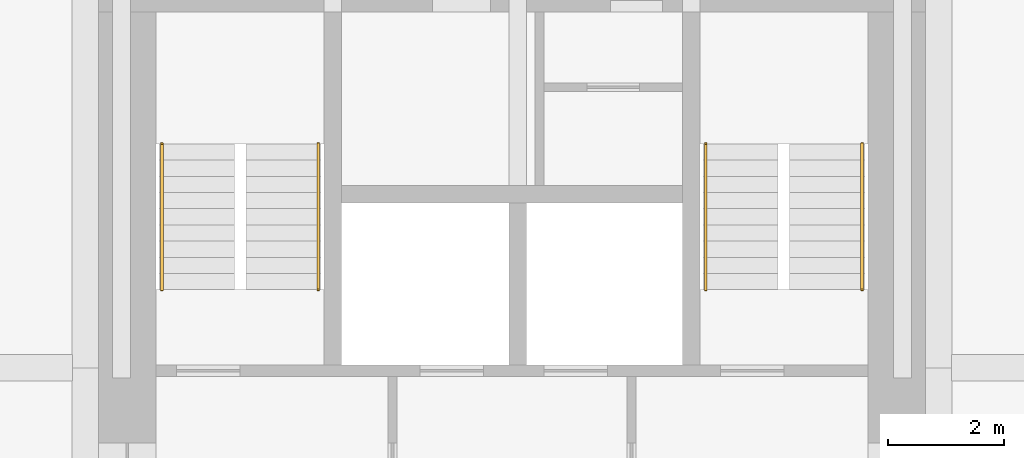
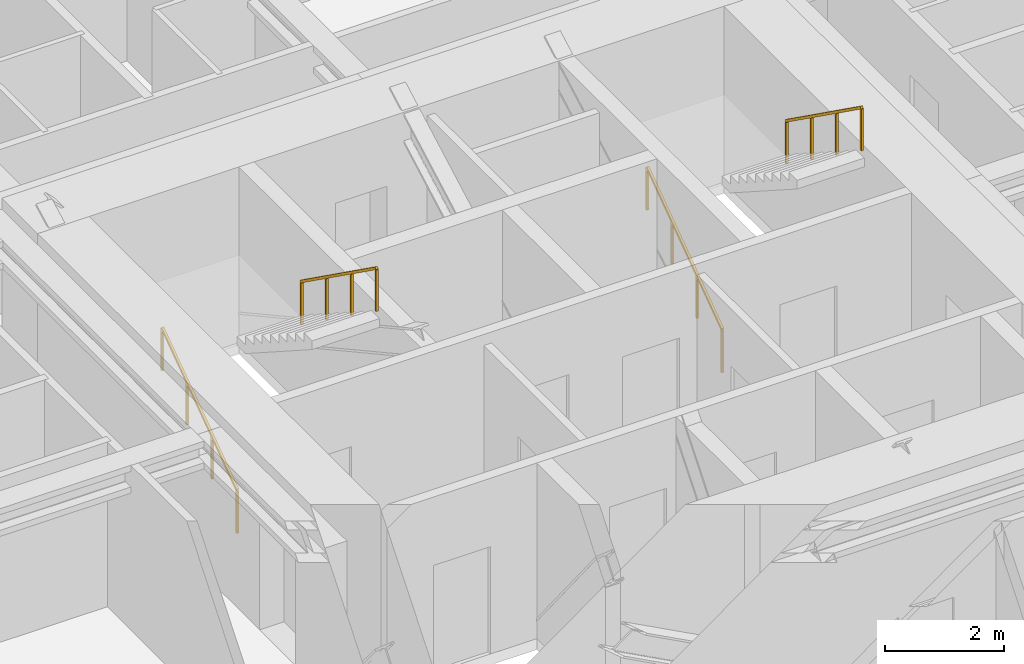
# One storey, part 10 of 10: 4 railings.
"""IFC4 building model written with IfcOpenShell, lengths in metres."""

from ifc_helpers import new_model, si_unit, direction, frame, origin, origin_2d, place, context, subcontext, project, spatial, rectangle, extrude, material, type_object, element, save


model = new_model("IFC4")

# Units and contexts
model_context = context("Model", 3, precision=1e-05, world=origin(), true_north=direction((0.0, 1.0)))
body_context = subcontext(model_context, "Body", "Model", "MODEL_VIEW")
ifc_project = project(units=[si_unit("LENGTHUNIT", "METRE"), si_unit("AREAUNIT", "SQUARE_METRE"), si_unit("VOLUMEUNIT", "CUBIC_METRE"), si_unit("PLANEANGLEUNIT", "RADIAN"), si_unit("MASSUNIT", "GRAM", prefix="KILO")], contexts=[model_context])

# Site, building, storey
site_placement = place(None, origin())
site = spatial("IfcSite", under=ifc_project, at=site_placement, CompositionType="ELEMENT")
building_placement = place(site_placement, origin())
building = spatial("IfcBuilding", under=site, at=building_placement, Name="Nyansa Garden Tower", CompositionType="ELEMENT")
storey_placement = place(building_placement, frame((0.0, 0.0, 167.39990234375)))
storey = spatial("IfcBuildingStorey", under=building, at=storey_placement, Name="L45", CompositionType="ELEMENT", Elevation=167.39990234375)

# Railings
ifc_material = material(Name="Black powder-coated steel tube 48 mm", Category="steel")
railing_type = type_object("IfcRailingType", Name="Stair handrail HR1", PredefinedType="HANDRAIL", material=ifc_material)
railing_1_placement = place(storey_placement, frame((14.199951171875, 21.60009765625, 0.0)))
element("IfcRailing", 1, at=railing_1_placement, inside=storey, type_object=railing_type, Name="Stair S1 handrail L45", PredefinedType="HANDRAIL", context=body_context, shape_type="SweptSolid", body=[
    extrude(rectangle(XDim=0.048095703125, YDim=0.048095703125, at=origin_2d()), frame((0.0, 0.0, 0.8759765625), z_axis=(0.0, 0.813728144527, 0.581245650998), x_axis=(-1.0, 0.0, 0.0)), (0.0, 0.0, 1.0), 3.096923828125),
    extrude(rectangle(XDim=0.0419921875, YDim=0.0419921875, at=origin_2d()), origin(), (0.0, 0.0, 1.0), 0.851806640625),
    extrude(rectangle(XDim=0.0419921875, YDim=0.0419921875, at=origin_2d()), frame((0.0, 0.840087890625, 0.60009765625)), (0.0, 0.0, 1.0), 0.851806640625),
    extrude(rectangle(XDim=0.0419921875, YDim=0.0419921875, at=origin_2d()), frame((0.0, 1.679931640625, 1.199951171875)), (0.0, 0.0, 1.0), 0.851806640625),
    extrude(rectangle(XDim=0.0419921875, YDim=0.0419921875, at=origin_2d()), frame((0.0, 2.52001953125, 1.800048828125)), (0.0, 0.0, 1.0), 0.851806640625),
])
railing_2_placement = place(storey_placement, frame((16.89990234375, 24.1201171875, 1.800048828125)))
element("IfcRailing", 2, at=railing_2_placement, inside=storey, type_object=railing_type, Name="Stair S1 handrail L45", PredefinedType="HANDRAIL", context=body_context, shape_type="SweptSolid", body=[
    extrude(rectangle(XDim=0.048095703125, YDim=0.048095703125, at=origin_2d()), frame((0.0, 0.0, 0.8759765625), z_axis=(0.0, -0.813728144527, 0.581245650998), x_axis=(1.0, 0.0, 0.0)), (0.0, 0.0, 1.0), 3.096923828125),
    extrude(rectangle(XDim=0.0419921875, YDim=0.0419921875, at=origin_2d()), origin(), (0.0, 0.0, 1.0), 0.851806640625),
    extrude(rectangle(XDim=0.0419921875, YDim=0.0419921875, at=origin_2d()), frame((0.0, -0.840087890625, 0.60009765625)), (0.0, 0.0, 1.0), 0.851806640625),
    extrude(rectangle(XDim=0.0419921875, YDim=0.0419921875, at=origin_2d()), frame((0.0, -1.679931640625, 1.199951171875)), (0.0, 0.0, 1.0), 0.851806640625),
    extrude(rectangle(XDim=0.0419921875, YDim=0.0419921875, at=origin_2d()), frame((0.0, -2.52001953125, 1.800048828125)), (0.0, 0.0, 1.0), 0.851806640625),
])
railing_3_placement = place(storey_placement, frame((23.60009765625, 21.60009765625, 0.0)))
element("IfcRailing", 3, at=railing_3_placement, inside=storey, type_object=railing_type, Name="Stair S2 handrail L45", PredefinedType="HANDRAIL", context=body_context, shape_type="SweptSolid", body=[
    extrude(rectangle(XDim=0.048095703125, YDim=0.048095703125, at=origin_2d()), frame((0.0, 0.0, 0.8759765625), z_axis=(0.0, 0.813728144527, 0.581245650998), x_axis=(-1.0, 0.0, 0.0)), (0.0, 0.0, 1.0), 3.096923828125),
    extrude(rectangle(XDim=0.0419921875, YDim=0.0419921875, at=origin_2d()), origin(), (0.0, 0.0, 1.0), 0.851806640625),
    extrude(rectangle(XDim=0.0419921875, YDim=0.0419921875, at=origin_2d()), frame((0.0, 0.840087890625, 0.60009765625)), (0.0, 0.0, 1.0), 0.851806640625),
    extrude(rectangle(XDim=0.0419921875, YDim=0.0419921875, at=origin_2d()), frame((0.0, 1.679931640625, 1.199951171875)), (0.0, 0.0, 1.0), 0.851806640625),
    extrude(rectangle(XDim=0.0419921875, YDim=0.0419921875, at=origin_2d()), frame((0.0, 2.52001953125, 1.800048828125)), (0.0, 0.0, 1.0), 0.851806640625),
])
railing_4_placement = place(storey_placement, frame((26.300048828125, 24.1201171875, 1.800048828125)))
element("IfcRailing", 4, at=railing_4_placement, inside=storey, type_object=railing_type, Name="Stair S2 handrail L45", PredefinedType="HANDRAIL", context=body_context, shape_type="SweptSolid", body=[
    extrude(rectangle(XDim=0.048095703125, YDim=0.048095703125, at=origin_2d()), frame((0.0, 0.0, 0.8759765625), z_axis=(0.0, -0.813728144527, 0.581245650998), x_axis=(1.0, 0.0, 0.0)), (0.0, 0.0, 1.0), 3.096923828125),
    extrude(rectangle(XDim=0.0419921875, YDim=0.0419921875, at=origin_2d()), origin(), (0.0, 0.0, 1.0), 0.851806640625),
    extrude(rectangle(XDim=0.0419921875, YDim=0.0419921875, at=origin_2d()), frame((0.0, -0.840087890625, 0.60009765625)), (0.0, 0.0, 1.0), 0.851806640625),
    extrude(rectangle(XDim=0.0419921875, YDim=0.0419921875, at=origin_2d()), frame((0.0, -1.679931640625, 1.199951171875)), (0.0, 0.0, 1.0), 0.851806640625),
    extrude(rectangle(XDim=0.0419921875, YDim=0.0419921875, at=origin_2d()), frame((0.0, -2.52001953125, 1.800048828125)), (0.0, 0.0, 1.0), 0.851806640625),
])

save(model, "model.ifc")
